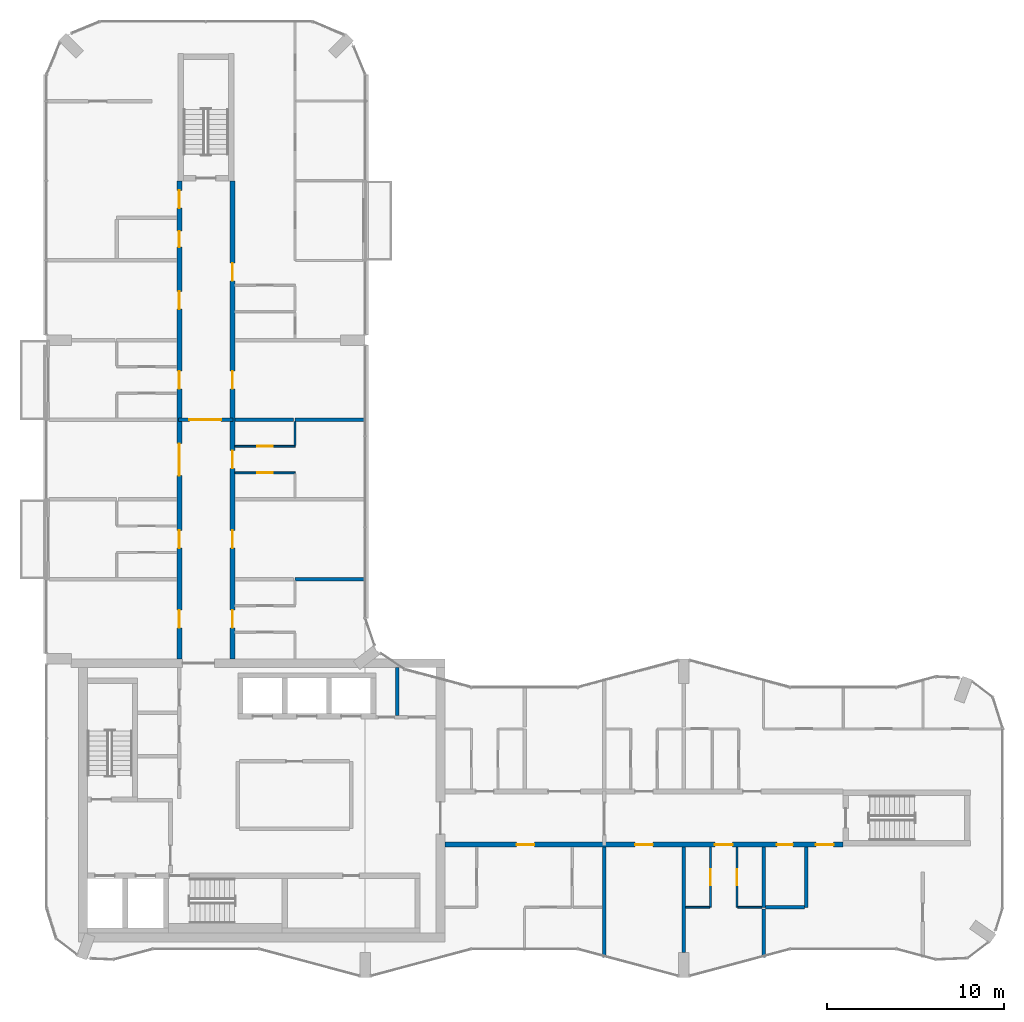
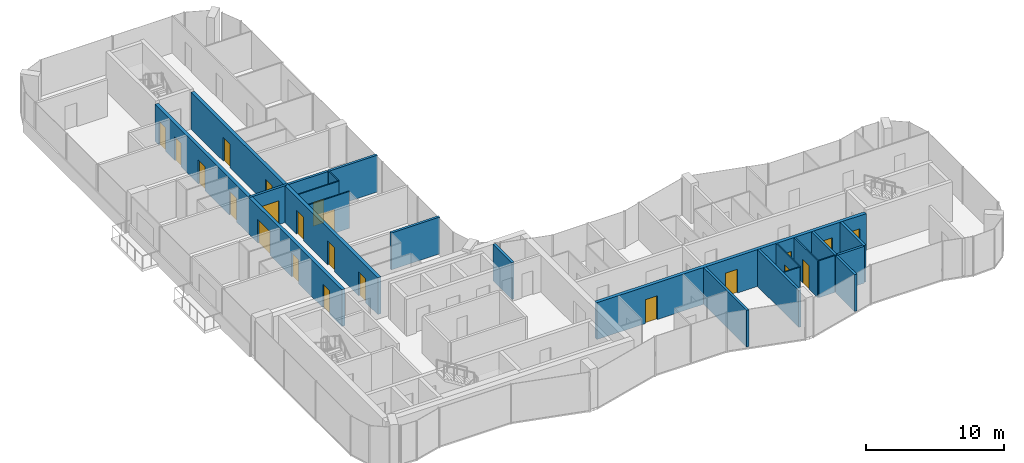
# One storey, part 11 of 16: 22 doors, 21 walls, 22 openings.
"""IFC4 building model written with IfcOpenShell, lengths in metres."""

from ifc_helpers import new_model, si_unit, direction, frame, frame_2d, origin, place, context, subcontext, project, spatial, rectangle, extrude, material, layer, layer_set, type_object, element, fill, save


model = new_model("IFC4")

# Units and contexts
model_context = context("Model", 3, precision=1e-05, world=origin(), true_north=direction((0.0, 1.0)))
body_context = subcontext(model_context, "Body", "Model", "MODEL_VIEW")
ifc_project = project(units=[si_unit("LENGTHUNIT", "METRE"), si_unit("AREAUNIT", "SQUARE_METRE"), si_unit("VOLUMEUNIT", "CUBIC_METRE"), si_unit("PLANEANGLEUNIT", "RADIAN"), si_unit("MASSUNIT", "GRAM", prefix="KILO")], contexts=[model_context])

# Site, building, storey
site_placement = place(None, origin())
site = spatial("IfcSite", under=ifc_project, at=site_placement, CompositionType="ELEMENT")
building_placement = place(site_placement, origin())
building = spatial("IfcBuilding", under=site, at=building_placement, Name="Plateau Cross Towers", CompositionType="ELEMENT")
storey_placement = place(building_placement, frame((0.0, 0.0, 218.89990234375)))
storey = spatial("IfcBuildingStorey", under=building, at=storey_placement, Name="L57", CompositionType="ELEMENT", Elevation=218.89990234375)

# Wall
ifc_material_1 = material(Name="Concrete block, plastered both sides", Category="concrete")
ifc_layer_1 = layer(ifc_material_1, 0.199951171875)
ifc_layer_set_1 = layer_set([ifc_layer_1], Name="Concrete block, plastered both sides")
wall_type_1 = type_object("IfcWallType", Name="Core partition 200", PredefinedType="PARTITIONING", material=ifc_layer_set_1)
wall_1_placement = place(storey_placement, frame((19.800048828125, 14.800048828125, 0.0), z_axis=(0.0, 0.0, 1.0), x_axis=(0.0, 1.0, 0.0)))
element("IfcWall", 1, at=wall_1_placement, inside=storey, type_object=wall_type_1, Name="Core partition", PredefinedType="PARTITIONING", context=body_context, shape_type="SweptSolid", body=[
    extrude(rectangle(XDim=2.699951171875, YDim=0.199951171875, at=frame_2d((1.35009765625, 0.0))), origin(), (0.0, 0.0, 1.0), 3.25),
])

# Wall, openings, doors
ifc_material_2 = material(Name="Concrete C60/75", Category="concrete")
ifc_layer_2 = layer(ifc_material_2, 0.27490234375)
ifc_layer_set_2 = layer_set([ifc_layer_2], Name="Concrete C60/75")
wall_type_2 = type_object("IfcWallType", Name="Corridor wall 275", PredefinedType="SHEAR", material=ifc_layer_set_2)
wall_2_placement = place(storey_placement, frame((22.5, 7.5, 0.0), z_axis=(0.0, 0.0, 1.0), x_axis=(1.0, 0.0, 0.0)))
wall_2 = element("IfcWall", 2, at=wall_2_placement, inside=storey, type_object=wall_type_2, Name="A-cw-S1@L57", PredefinedType="SHEAR", context=body_context, shape_type="SweptSolid", body=[
    extrude(rectangle(XDim=22.5, YDim=0.27490234375, at=frame_2d((11.25, 0.0))), origin(), (0.0, 0.0, 1.0), 3.25),
])
opening_1_placement = place(wall_2_placement, frame((4.050048828125, 0.0, 0.0)))
opening_1 = element("IfcOpeningElement", 3, at=opening_1_placement, cuts=wall_2, Name="Opening 57-01", PredefinedType="OPENING", context=body_context, shape_type="SweptSolid", body=[
    extrude(rectangle(XDim=1.0, YDim=2.10009765625, at=frame_2d((0.5, 1.050048828125))), frame((0.0, 0.1474609375, 0.0), z_axis=(0.0, -1.0, 0.0), x_axis=(1.0, 0.0, 0.0)), (0.0, 0.0, 1.0), 0.294921875),
])
opening_2_placement = place(wall_2_placement, frame((10.75, 0.0, 0.0)))
opening_2 = element("IfcOpeningElement", 4, at=opening_2_placement, cuts=wall_2, Name="Opening 57-02", PredefinedType="OPENING", context=body_context, shape_type="SweptSolid", body=[
    extrude(rectangle(XDim=1.0, YDim=2.10009765625, at=frame_2d((0.5, 1.050048828125))), frame((0.0, 0.1474609375, 0.0), z_axis=(0.0, -1.0, 0.0), x_axis=(1.0, 0.0, 0.0)), (0.0, 0.0, 1.0), 0.294921875),
])
opening_3_placement = place(wall_2_placement, frame((15.25, 0.0, 0.0)))
opening_3 = element("IfcOpeningElement", 5, at=opening_3_placement, cuts=wall_2, Name="Opening 57-03", PredefinedType="OPENING", context=body_context, shape_type="SweptSolid", body=[
    extrude(rectangle(XDim=1.0, YDim=2.10009765625, at=frame_2d((0.5, 1.050048828125))), frame((0.0, 0.1474609375, 0.0), z_axis=(0.0, -1.0, 0.0), x_axis=(1.0, 0.0, 0.0)), (0.0, 0.0, 1.0), 0.294921875),
])
opening_4_placement = place(wall_2_placement, frame((18.75, 0.0, 0.0)))
opening_4 = element("IfcOpeningElement", 6, at=opening_4_placement, cuts=wall_2, Name="Opening 57-04", PredefinedType="OPENING", context=body_context, shape_type="SweptSolid", body=[
    extrude(rectangle(XDim=0.89990234375, YDim=2.10009765625, at=frame_2d((0.449951171875, 1.050048828125))), frame((0.0, 0.1474609375, 0.0), z_axis=(0.0, -1.0, 0.0), x_axis=(1.0, 0.0, 0.0)), (0.0, 0.0, 1.0), 0.294921875),
])
opening_5_placement = place(wall_2_placement, frame((20.949951171875, 0.0, 0.0)))
opening_5 = element("IfcOpeningElement", 7, at=opening_5_placement, cuts=wall_2, Name="Opening 57-05", PredefinedType="OPENING", context=body_context, shape_type="SweptSolid", body=[
    extrude(rectangle(XDim=1.0, YDim=2.10009765625, at=frame_2d((0.5, 1.050048828125))), frame((0.0, 0.1474609375, 0.0), z_axis=(0.0, -1.0, 0.0), x_axis=(1.0, 0.0, 0.0)), (0.0, 0.0, 1.0), 0.294921875),
])
ifc_material_3 = material(Name="Timber, fire-resisting leaf", Category="wood")
door_type_1 = type_object("IfcDoorType", Name="Flat entrance door 1000", OperationType="NOTDEFINED", PredefinedType="DOOR", material=ifc_material_3)
door_1_placement = place(opening_1_placement, origin())
door_1 = element("IfcDoor", 8, at=door_1_placement, inside=storey, type_object=door_type_1, Name="Door 57-01", OperationType="SINGLE_SWING_LEFT", OverallHeight=2.10009765625, OverallWidth=1.0, PredefinedType="DOOR", context=body_context, shape_type="SweptSolid", body=[
    extrude(rectangle(XDim=1.0, YDim=2.10009765625, at=frame_2d((0.5, 1.050048828125))), frame((0.0, 0.02490234375, 0.0), z_axis=(0.0, -1.0, 0.0), x_axis=(1.0, 0.0, 0.0)), (0.0, 0.0, 1.0), 0.050048828125),
])
fill(opening_1, door_1)
door_2_placement = place(opening_2_placement, origin())
door_2 = element("IfcDoor", 9, at=door_2_placement, inside=storey, type_object=door_type_1, Name="Door 57-02", OperationType="SINGLE_SWING_LEFT", OverallHeight=2.10009765625, OverallWidth=1.0, PredefinedType="DOOR", context=body_context, shape_type="SweptSolid", body=[
    extrude(rectangle(XDim=1.0, YDim=2.10009765625, at=frame_2d((0.5, 1.050048828125))), frame((0.0, 0.02490234375, 0.0), z_axis=(0.0, -1.0, 0.0), x_axis=(1.0, 0.0, 0.0)), (0.0, 0.0, 1.0), 0.050048828125),
])
fill(opening_2, door_2)
door_3_placement = place(opening_3_placement, origin())
door_3 = element("IfcDoor", 10, at=door_3_placement, inside=storey, type_object=door_type_1, Name="Door 57-03", OperationType="SINGLE_SWING_RIGHT", OverallHeight=2.10009765625, OverallWidth=1.0, PredefinedType="DOOR", context=body_context, shape_type="SweptSolid", body=[
    extrude(rectangle(XDim=1.0, YDim=2.10009765625, at=frame_2d((0.5, 1.050048828125))), frame((0.0, 0.02490234375, 0.0), z_axis=(0.0, -1.0, 0.0), x_axis=(1.0, 0.0, 0.0)), (0.0, 0.0, 1.0), 0.050048828125),
])
fill(opening_3, door_3)
door_4_placement = place(opening_5_placement, origin())
door_4 = element("IfcDoor", 11, at=door_4_placement, inside=storey, type_object=door_type_1, Name="Door 57-05", OperationType="SINGLE_SWING_RIGHT", OverallHeight=2.10009765625, OverallWidth=1.0, PredefinedType="DOOR", context=body_context, shape_type="SweptSolid", body=[
    extrude(rectangle(XDim=1.0, YDim=2.10009765625, at=frame_2d((0.5, 1.050048828125))), frame((0.0, 0.02490234375, 0.0), z_axis=(0.0, -1.0, 0.0), x_axis=(1.0, 0.0, 0.0)), (0.0, 0.0, 1.0), 0.050048828125),
])
fill(opening_5, door_4)
door_type_2 = type_object("IfcDoorType", Name="Flat floor service door 900", OperationType="NOTDEFINED", PredefinedType="DOOR", material=ifc_material_3)
door_5_placement = place(opening_4_placement, origin())
door_5 = element("IfcDoor", 12, at=door_5_placement, inside=storey, type_object=door_type_2, Name="Door 57-04", OperationType="SINGLE_SWING_RIGHT", OverallHeight=2.10009765625, OverallWidth=0.89990234375, PredefinedType="DOOR", context=body_context, shape_type="SweptSolid", body=[
    extrude(rectangle(XDim=0.89990234375, YDim=2.10009765625, at=frame_2d((0.449951171875, 1.050048828125))), frame((0.0, 0.02490234375, 0.0), z_axis=(0.0, -1.0, 0.0), x_axis=(1.0, 0.0, 0.0)), (0.0, 0.0, 1.0), 0.050048828125),
])
fill(opening_4, door_5)

wall_3_placement = place(storey_placement, frame((7.5, 18.0, 0.0), z_axis=(0.0, 0.0, 1.0), x_axis=(0.0, 1.0, 0.0)))
wall_3 = element("IfcWall", 13, at=wall_3_placement, inside=storey, type_object=wall_type_2, Name="A-cw-W1@L57", PredefinedType="SHEAR", context=body_context, shape_type="SweptSolid", body=[
    extrude(rectangle(XDim=27.0, YDim=0.27490234375, at=frame_2d((13.5, 0.0))), origin(), (0.0, 0.0, 1.0), 3.25),
])
opening_6_placement = place(wall_3_placement, frame((1.75, 0.0, 0.0)))
opening_6 = element("IfcOpeningElement", 14, at=opening_6_placement, cuts=wall_3, Name="Opening 57-10", PredefinedType="OPENING", context=body_context, shape_type="SweptSolid", body=[
    extrude(rectangle(XDim=1.0, YDim=2.10009765625, at=frame_2d((0.5, 1.050048828125))), frame((0.0, 0.1474609375, 0.0), z_axis=(0.0, -1.0, 0.0), x_axis=(1.0, 0.0, 0.0)), (0.0, 0.0, 1.0), 0.294921875),
])
opening_7_placement = place(wall_3_placement, frame((6.25, 0.0, 0.0)))
opening_7 = element("IfcOpeningElement", 15, at=opening_7_placement, cuts=wall_3, Name="Opening 57-11", PredefinedType="OPENING", context=body_context, shape_type="SweptSolid", body=[
    extrude(rectangle(XDim=1.0, YDim=2.10009765625, at=frame_2d((0.5, 1.050048828125))), frame((0.0, 0.1474609375, 0.0), z_axis=(0.0, -1.0, 0.0), x_axis=(1.0, 0.0, 0.0)), (0.0, 0.0, 1.0), 0.294921875),
])
opening_8_placement = place(wall_3_placement, frame((10.35009765625, 0.0, 0.0)))
opening_8 = element("IfcOpeningElement", 16, at=opening_8_placement, cuts=wall_3, Name="Opening 57-12", PredefinedType="OPENING", context=body_context, shape_type="SweptSolid", body=[
    extrude(rectangle(XDim=1.800048828125, YDim=2.10009765625, at=frame_2d((0.89990234375, 1.050048828125))), frame((0.0, 0.1474609375, 0.0), z_axis=(0.0, -1.0, 0.0), x_axis=(1.0, 0.0, 0.0)), (0.0, 0.0, 1.0), 0.294921875),
])
opening_9_placement = place(wall_3_placement, frame((15.25, 0.0, 0.0)))
opening_9 = element("IfcOpeningElement", 17, at=opening_9_placement, cuts=wall_3, Name="Opening 57-13", PredefinedType="OPENING", context=body_context, shape_type="SweptSolid", body=[
    extrude(rectangle(XDim=1.0, YDim=2.10009765625, at=frame_2d((0.5, 1.050048828125))), frame((0.0, 0.1474609375, 0.0), z_axis=(0.0, -1.0, 0.0), x_axis=(1.0, 0.0, 0.0)), (0.0, 0.0, 1.0), 0.294921875),
])
opening_10_placement = place(wall_3_placement, frame((19.75, 0.0, 0.0)))
opening_10 = element("IfcOpeningElement", 18, at=opening_10_placement, cuts=wall_3, Name="Opening 57-14", PredefinedType="OPENING", context=body_context, shape_type="SweptSolid", body=[
    extrude(rectangle(XDim=1.0, YDim=2.10009765625, at=frame_2d((0.5, 1.050048828125))), frame((0.0, 0.1474609375, 0.0), z_axis=(0.0, -1.0, 0.0), x_axis=(1.0, 0.0, 0.0)), (0.0, 0.0, 1.0), 0.294921875),
])
opening_11_placement = place(wall_3_placement, frame((23.25, 0.0, 0.0)))
opening_11 = element("IfcOpeningElement", 19, at=opening_11_placement, cuts=wall_3, Name="Opening 57-15", PredefinedType="OPENING", context=body_context, shape_type="SweptSolid", body=[
    extrude(rectangle(XDim=0.89990234375, YDim=2.10009765625, at=frame_2d((0.449951171875, 1.050048828125))), frame((0.0, 0.1474609375, 0.0), z_axis=(0.0, -1.0, 0.0), x_axis=(1.0, 0.0, 0.0)), (0.0, 0.0, 1.0), 0.294921875),
])
opening_12_placement = place(wall_3_placement, frame((25.449951171875, 0.0, 0.0)))
opening_12 = element("IfcOpeningElement", 20, at=opening_12_placement, cuts=wall_3, Name="Opening 57-16", PredefinedType="OPENING", context=body_context, shape_type="SweptSolid", body=[
    extrude(rectangle(XDim=1.0, YDim=2.10009765625, at=frame_2d((0.5, 1.050048828125))), frame((0.0, 0.1474609375, 0.0), z_axis=(0.0, -1.0, 0.0), x_axis=(1.0, 0.0, 0.0)), (0.0, 0.0, 1.0), 0.294921875),
])
door_6_placement = place(opening_6_placement, origin())
door_6 = element("IfcDoor", 21, at=door_6_placement, inside=storey, type_object=door_type_1, Name="Door 57-10", OperationType="SINGLE_SWING_LEFT", OverallHeight=2.10009765625, OverallWidth=1.0, PredefinedType="DOOR", context=body_context, shape_type="SweptSolid", body=[
    extrude(rectangle(XDim=1.0, YDim=2.10009765625, at=frame_2d((0.5, 1.050048828125))), frame((0.0, 0.02490234375, 0.0), z_axis=(0.0, -1.0, 0.0), x_axis=(1.0, 0.0, 0.0)), (0.0, 0.0, 1.0), 0.050048828125),
])
fill(opening_6, door_6)
door_7_placement = place(opening_7_placement, origin())
door_7 = element("IfcDoor", 22, at=door_7_placement, inside=storey, type_object=door_type_1, Name="Door 57-11", OperationType="SINGLE_SWING_LEFT", OverallHeight=2.10009765625, OverallWidth=1.0, PredefinedType="DOOR", context=body_context, shape_type="SweptSolid", body=[
    extrude(rectangle(XDim=1.0, YDim=2.10009765625, at=frame_2d((0.5, 1.050048828125))), frame((0.0, 0.02490234375, 0.0), z_axis=(0.0, -1.0, 0.0), x_axis=(1.0, 0.0, 0.0)), (0.0, 0.0, 1.0), 0.050048828125),
])
fill(opening_7, door_7)
door_8_placement = place(opening_9_placement, origin())
door_8 = element("IfcDoor", 23, at=door_8_placement, inside=storey, type_object=door_type_1, Name="Door 57-13", OperationType="SINGLE_SWING_RIGHT", OverallHeight=2.10009765625, OverallWidth=1.0, PredefinedType="DOOR", context=body_context, shape_type="SweptSolid", body=[
    extrude(rectangle(XDim=1.0, YDim=2.10009765625, at=frame_2d((0.5, 1.050048828125))), frame((0.0, 0.02490234375, 0.0), z_axis=(0.0, -1.0, 0.0), x_axis=(1.0, 0.0, 0.0)), (0.0, 0.0, 1.0), 0.050048828125),
])
fill(opening_9, door_8)
door_9_placement = place(opening_10_placement, origin())
door_9 = element("IfcDoor", 24, at=door_9_placement, inside=storey, type_object=door_type_1, Name="Door 57-14", OperationType="SINGLE_SWING_RIGHT", OverallHeight=2.10009765625, OverallWidth=1.0, PredefinedType="DOOR", context=body_context, shape_type="SweptSolid", body=[
    extrude(rectangle(XDim=1.0, YDim=2.10009765625, at=frame_2d((0.5, 1.050048828125))), frame((0.0, 0.02490234375, 0.0), z_axis=(0.0, -1.0, 0.0), x_axis=(1.0, 0.0, 0.0)), (0.0, 0.0, 1.0), 0.050048828125),
])
fill(opening_10, door_9)
door_10_placement = place(opening_12_placement, origin())
door_10 = element("IfcDoor", 25, at=door_10_placement, inside=storey, type_object=door_type_1, Name="Door 57-16", OperationType="SINGLE_SWING_RIGHT", OverallHeight=2.10009765625, OverallWidth=1.0, PredefinedType="DOOR", context=body_context, shape_type="SweptSolid", body=[
    extrude(rectangle(XDim=1.0, YDim=2.10009765625, at=frame_2d((0.5, 1.050048828125))), frame((0.0, 0.02490234375, 0.0), z_axis=(0.0, -1.0, 0.0), x_axis=(1.0, 0.0, 0.0)), (0.0, 0.0, 1.0), 0.050048828125),
])
fill(opening_12, door_10)
ifc_material_4 = material(Name="Timber, fire-resisting leaves", Category="wood")
door_type_3 = type_object("IfcDoorType", Name="Flat floor fire door pair 1800", OperationType="NOTDEFINED", PredefinedType="DOOR", material=ifc_material_4)
door_11_placement = place(opening_8_placement, origin())
door_11 = element("IfcDoor", 26, at=door_11_placement, inside=storey, type_object=door_type_3, Name="Door 57-12", OperationType="SINGLE_SWING_LEFT", OverallHeight=2.10009765625, OverallWidth=1.800048828125, PredefinedType="DOOR", context=body_context, shape_type="SweptSolid", body=[
    extrude(rectangle(XDim=1.800048828125, YDim=2.10009765625, at=frame_2d((0.89990234375, 1.050048828125))), frame((0.0, 0.02490234375, 0.0), z_axis=(0.0, -1.0, 0.0), x_axis=(1.0, 0.0, 0.0)), (0.0, 0.0, 1.0), 0.050048828125),
])
fill(opening_8, door_11)
door_12_placement = place(opening_11_placement, origin())
door_12 = element("IfcDoor", 27, at=door_12_placement, inside=storey, type_object=door_type_2, Name="Door 57-15", OperationType="SINGLE_SWING_RIGHT", OverallHeight=2.10009765625, OverallWidth=0.89990234375, PredefinedType="DOOR", context=body_context, shape_type="SweptSolid", body=[
    extrude(rectangle(XDim=0.89990234375, YDim=2.10009765625, at=frame_2d((0.449951171875, 1.050048828125))), frame((0.0, 0.02490234375, 0.0), z_axis=(0.0, -1.0, 0.0), x_axis=(1.0, 0.0, 0.0)), (0.0, 0.0, 1.0), 0.050048828125),
])
fill(opening_11, door_12)

wall_4_placement = place(storey_placement, frame((10.5, 18.0, 0.0), z_axis=(0.0, 0.0, 1.0), x_axis=(0.0, 1.0, 0.0)))
wall_4 = element("IfcWall", 28, at=wall_4_placement, inside=storey, type_object=wall_type_2, Name="A-cw-W2@L57", PredefinedType="SHEAR", context=body_context, shape_type="SweptSolid", body=[
    extrude(rectangle(XDim=27.0, YDim=0.27490234375, at=frame_2d((13.5, 0.0))), origin(), (0.0, 0.0, 1.0), 3.25),
])
opening_13_placement = place(wall_4_placement, frame((1.75, 0.0, 0.0)))
opening_13 = element("IfcOpeningElement", 29, at=opening_13_placement, cuts=wall_4, Name="Opening 57-17", PredefinedType="OPENING", context=body_context, shape_type="SweptSolid", body=[
    extrude(rectangle(XDim=1.0, YDim=2.10009765625, at=frame_2d((0.5, 1.050048828125))), frame((0.0, 0.1474609375, 0.0), z_axis=(0.0, -1.0, 0.0), x_axis=(1.0, 0.0, 0.0)), (0.0, 0.0, 1.0), 0.294921875),
])
opening_14_placement = place(wall_4_placement, frame((6.25, 0.0, 0.0)))
opening_14 = element("IfcOpeningElement", 30, at=opening_14_placement, cuts=wall_4, Name="Opening 57-18", PredefinedType="OPENING", context=body_context, shape_type="SweptSolid", body=[
    extrude(rectangle(XDim=1.0, YDim=2.10009765625, at=frame_2d((0.5, 1.050048828125))), frame((0.0, 0.1474609375, 0.0), z_axis=(0.0, -1.0, 0.0), x_axis=(1.0, 0.0, 0.0)), (0.0, 0.0, 1.0), 0.294921875),
])
opening_15_placement = place(wall_4_placement, frame((10.75, 0.0, 0.0)))
opening_15 = element("IfcOpeningElement", 31, at=opening_15_placement, cuts=wall_4, Name="Opening 57-19", PredefinedType="OPENING", context=body_context, shape_type="SweptSolid", body=[
    extrude(rectangle(XDim=1.0, YDim=2.10009765625, at=frame_2d((0.5, 1.050048828125))), frame((0.0, 0.1474609375, 0.0), z_axis=(0.0, -1.0, 0.0), x_axis=(1.0, 0.0, 0.0)), (0.0, 0.0, 1.0), 0.294921875),
])
opening_16_placement = place(wall_4_placement, frame((15.25, 0.0, 0.0)))
opening_16 = element("IfcOpeningElement", 32, at=opening_16_placement, cuts=wall_4, Name="Opening 57-20", PredefinedType="OPENING", context=body_context, shape_type="SweptSolid", body=[
    extrude(rectangle(XDim=1.0, YDim=2.10009765625, at=frame_2d((0.5, 1.050048828125))), frame((0.0, 0.1474609375, 0.0), z_axis=(0.0, -1.0, 0.0), x_axis=(1.0, 0.0, 0.0)), (0.0, 0.0, 1.0), 0.294921875),
])
opening_17_placement = place(wall_4_placement, frame((21.35009765625, 0.0, 0.0)))
opening_17 = element("IfcOpeningElement", 33, at=opening_17_placement, cuts=wall_4, Name="Opening 57-21", PredefinedType="OPENING", context=body_context, shape_type="SweptSolid", body=[
    extrude(rectangle(XDim=1.0, YDim=2.10009765625, at=frame_2d((0.5, 1.050048828125))), frame((0.0, 0.1474609375, 0.0), z_axis=(0.0, -1.0, 0.0), x_axis=(1.0, 0.0, 0.0)), (0.0, 0.0, 1.0), 0.294921875),
])
door_13_placement = place(opening_13_placement, origin())
door_13 = element("IfcDoor", 34, at=door_13_placement, inside=storey, type_object=door_type_1, Name="Door 57-17", OperationType="SINGLE_SWING_LEFT", OverallHeight=2.10009765625, OverallWidth=1.0, PredefinedType="DOOR", context=body_context, shape_type="SweptSolid", body=[
    extrude(rectangle(XDim=1.0, YDim=2.10009765625, at=frame_2d((0.5, 1.050048828125))), frame((0.0, 0.02490234375, 0.0), z_axis=(0.0, -1.0, 0.0), x_axis=(1.0, 0.0, 0.0)), (0.0, 0.0, 1.0), 0.050048828125),
])
fill(opening_13, door_13)
door_14_placement = place(opening_14_placement, origin())
door_14 = element("IfcDoor", 35, at=door_14_placement, inside=storey, type_object=door_type_1, Name="Door 57-18", OperationType="SINGLE_SWING_LEFT", OverallHeight=2.10009765625, OverallWidth=1.0, PredefinedType="DOOR", context=body_context, shape_type="SweptSolid", body=[
    extrude(rectangle(XDim=1.0, YDim=2.10009765625, at=frame_2d((0.5, 1.050048828125))), frame((0.0, 0.02490234375, 0.0), z_axis=(0.0, -1.0, 0.0), x_axis=(1.0, 0.0, 0.0)), (0.0, 0.0, 1.0), 0.050048828125),
])
fill(opening_14, door_14)
door_15_placement = place(opening_15_placement, origin())
door_15 = element("IfcDoor", 36, at=door_15_placement, inside=storey, type_object=door_type_1, Name="Door 57-19", OperationType="SINGLE_SWING_LEFT", OverallHeight=2.10009765625, OverallWidth=1.0, PredefinedType="DOOR", context=body_context, shape_type="SweptSolid", body=[
    extrude(rectangle(XDim=1.0, YDim=2.10009765625, at=frame_2d((0.5, 1.050048828125))), frame((0.0, 0.02490234375, 0.0), z_axis=(0.0, -1.0, 0.0), x_axis=(1.0, 0.0, 0.0)), (0.0, 0.0, 1.0), 0.050048828125),
])
fill(opening_15, door_15)
door_16_placement = place(opening_16_placement, origin())
door_16 = element("IfcDoor", 37, at=door_16_placement, inside=storey, type_object=door_type_1, Name="Door 57-20", OperationType="SINGLE_SWING_RIGHT", OverallHeight=2.10009765625, OverallWidth=1.0, PredefinedType="DOOR", context=body_context, shape_type="SweptSolid", body=[
    extrude(rectangle(XDim=1.0, YDim=2.10009765625, at=frame_2d((0.5, 1.050048828125))), frame((0.0, 0.02490234375, 0.0), z_axis=(0.0, -1.0, 0.0), x_axis=(1.0, 0.0, 0.0)), (0.0, 0.0, 1.0), 0.050048828125),
])
fill(opening_16, door_16)
door_17_placement = place(opening_17_placement, origin())
door_17 = element("IfcDoor", 38, at=door_17_placement, inside=storey, type_object=door_type_1, Name="Door 57-21", OperationType="SINGLE_SWING_RIGHT", OverallHeight=2.10009765625, OverallWidth=1.0, PredefinedType="DOOR", context=body_context, shape_type="SweptSolid", body=[
    extrude(rectangle(XDim=1.0, YDim=2.10009765625, at=frame_2d((0.5, 1.050048828125))), frame((0.0, 0.02490234375, 0.0), z_axis=(0.0, -1.0, 0.0), x_axis=(1.0, 0.0, 0.0)), (0.0, 0.0, 1.0), 0.050048828125),
])
fill(opening_17, door_17)

# Walls
ifc_material_5 = material(Name="Gypsum board on steel studs", Category="steel")
ifc_layer_3 = layer(ifc_material_5, 0.10009765625)
ifc_layer_set_3 = layer_set([ifc_layer_3], Name="Gypsum board on steel studs")
wall_type_3 = type_object("IfcWallType", Name="Flat partition 100", PredefinedType="PARTITIONING", material=ifc_layer_set_3)
for number, where, z_axis, x_axis, name in (
    (39, (36.10009765625, 3.96240234375, 0.0), (0.0, 0.0, 1.0), (1.0, 0.0, 0.0), "Partition wall"),
    (40, (39.050048828125, 3.96240234375, 0.0), (0.0, 0.0, 1.0), (1.0, 0.0, 0.0), "Partition wall"),
):
    element("IfcWall", number, at=place(storey_placement, frame(where, z_axis=z_axis, x_axis=x_axis)), inside=storey, type_object=wall_type_3, Name=name, PredefinedType="PARTITIONING", context=body_context, shape_type="SweptSolid", body=[
        extrude(rectangle(XDim=1.349853515625, YDim=0.10009765625, at=frame_2d((0.6748046875, 0.0))), origin(), (0.0, 0.0, 1.0), 3.25),
    ])

# Wall, opening, door
wall_5_placement = place(storey_placement, frame((14.03759765625, 28.5, 0.0), z_axis=(0.0, 0.0, 1.0), x_axis=(-1.0, 0.0, 0.0)))
wall_5 = element("IfcWall", 41, at=wall_5_placement, inside=storey, type_object=wall_type_3, Name="Partition wall", PredefinedType="PARTITIONING", context=body_context, shape_type="SweptSolid", body=[
    extrude(rectangle(XDim=3.400146484375, YDim=0.10009765625, at=frame_2d((1.7001953125, 0.0))), origin(), (0.0, 0.0, 1.0), 3.25),
])
opening_18_placement = place(wall_5_placement, frame((1.25, 0.0, 0.0)))
opening_18 = element("IfcOpeningElement", 42, at=opening_18_placement, cuts=wall_5, Name="Opening 57-46", PredefinedType="OPENING", context=body_context, shape_type="SweptSolid", body=[
    extrude(rectangle(XDim=0.89990234375, YDim=2.10009765625, at=frame_2d((0.449951171875, 1.050048828125))), frame((0.0, 0.06005859375, 0.0), z_axis=(0.0, -1.0, 0.0), x_axis=(1.0, 0.0, 0.0)), (0.0, 0.0, 1.0), 0.1201171875),
])
ifc_material_6 = material(Name="Timber leaf", Category="wood")
door_type_4 = type_object("IfcDoorType", Name="Flat room door 900", OperationType="NOTDEFINED", PredefinedType="DOOR", material=ifc_material_6)
door_18_placement = place(opening_18_placement, origin())
door_18 = element("IfcDoor", 43, at=door_18_placement, inside=storey, type_object=door_type_4, Name="Door 57-46", OperationType="SINGLE_SWING_LEFT", OverallHeight=2.10009765625, OverallWidth=0.89990234375, PredefinedType="DOOR", context=body_context, shape_type="SweptSolid", body=[
    extrude(rectangle(XDim=0.89990234375, YDim=2.10009765625, at=frame_2d((0.449951171875, 1.050048828125))), frame((0.0, 0.02490234375, 0.0), z_axis=(0.0, -1.0, 0.0), x_axis=(1.0, 0.0, 0.0)), (0.0, 0.0, 1.0), 0.050048828125),
])
fill(opening_18, door_18)

wall_6_placement = place(storey_placement, frame((10.637451171875, 30.0, 0.0), z_axis=(0.0, 0.0, 1.0), x_axis=(1.0, 0.0, 0.0)))
wall_6 = element("IfcWall", 44, at=wall_6_placement, inside=storey, type_object=wall_type_3, Name="Partition wall", PredefinedType="PARTITIONING", context=body_context, shape_type="SweptSolid", body=[
    extrude(rectangle(XDim=3.400146484375, YDim=0.10009765625, at=frame_2d((1.7001953125, 0.0))), origin(), (0.0, 0.0, 1.0), 3.25),
])
opening_19_placement = place(wall_6_placement, frame((1.25, 0.0, 0.0)))
opening_19 = element("IfcOpeningElement", 45, at=opening_19_placement, cuts=wall_6, Name="Opening 57-47", PredefinedType="OPENING", context=body_context, shape_type="SweptSolid", body=[
    extrude(rectangle(XDim=0.89990234375, YDim=2.10009765625, at=frame_2d((0.449951171875, 1.050048828125))), frame((0.0, 0.06005859375, 0.0), z_axis=(0.0, -1.0, 0.0), x_axis=(1.0, 0.0, 0.0)), (0.0, 0.0, 1.0), 0.1201171875),
])
door_19_placement = place(opening_19_placement, origin())
door_19 = element("IfcDoor", 46, at=door_19_placement, inside=storey, type_object=door_type_4, Name="Door 57-47", OperationType="SINGLE_SWING_LEFT", OverallHeight=2.10009765625, OverallWidth=0.89990234375, PredefinedType="DOOR", context=body_context, shape_type="SweptSolid", body=[
    extrude(rectangle(XDim=0.89990234375, YDim=2.10009765625, at=frame_2d((0.449951171875, 1.050048828125))), frame((0.0, 0.02490234375, 0.0), z_axis=(0.0, -1.0, 0.0), x_axis=(1.0, 0.0, 0.0)), (0.0, 0.0, 1.0), 0.050048828125),
])
fill(opening_19, door_19)

# Wall
wall_7_placement = place(storey_placement, frame((14.03759765625, 30.050048828125, 0.0), z_axis=(0.0, 0.0, 1.0), x_axis=(0.0, 1.0, 0.0)))
element("IfcWall", 47, at=wall_7_placement, inside=storey, type_object=wall_type_3, Name="Partition wall", PredefinedType="PARTITIONING", context=body_context, shape_type="SweptSolid", body=[
    extrude(rectangle(XDim=1.349853515625, YDim=0.10009765625, at=frame_2d((0.6748046875, 0.0))), origin(), (0.0, 0.0, 1.0), 3.25),
])

# Wall, opening, door
wall_8_placement = place(storey_placement, frame((37.5, 3.96240234375, 0.0), z_axis=(0.0, 0.0, 1.0), x_axis=(0.0, 1.0, 0.0)))
wall_8 = element("IfcWall", 48, at=wall_8_placement, inside=storey, type_object=wall_type_3, Name="Partition wall", PredefinedType="PARTITIONING", context=body_context, shape_type="SweptSolid", body=[
    extrude(rectangle(XDim=3.400146484375, YDim=0.10009765625, at=frame_2d((1.7001953125, 0.0))), origin(), (0.0, 0.0, 1.0), 3.25),
])
opening_20_placement = place(wall_8_placement, frame((1.25, 0.0, 0.0)))
opening_20 = element("IfcOpeningElement", 49, at=opening_20_placement, cuts=wall_8, Name="Opening 57-29", PredefinedType="OPENING", context=body_context, shape_type="SweptSolid", body=[
    extrude(rectangle(XDim=0.89990234375, YDim=2.10009765625, at=frame_2d((0.449951171875, 1.050048828125))), frame((0.0, 0.06005859375, 0.0), z_axis=(0.0, -1.0, 0.0), x_axis=(1.0, 0.0, 0.0)), (0.0, 0.0, 1.0), 0.1201171875),
])
door_20_placement = place(opening_20_placement, origin())
door_20 = element("IfcDoor", 50, at=door_20_placement, inside=storey, type_object=door_type_4, Name="Door 57-29", OperationType="SINGLE_SWING_LEFT", OverallHeight=2.10009765625, OverallWidth=0.89990234375, PredefinedType="DOOR", context=body_context, shape_type="SweptSolid", body=[
    extrude(rectangle(XDim=0.89990234375, YDim=2.10009765625, at=frame_2d((0.449951171875, 1.050048828125))), frame((0.0, 0.02490234375, 0.0), z_axis=(0.0, -1.0, 0.0), x_axis=(1.0, 0.0, 0.0)), (0.0, 0.0, 1.0), 0.050048828125),
])
fill(opening_20, door_20)

wall_9_placement = place(storey_placement, frame((39.0, 7.362548828125, 0.0), z_axis=(0.0, 0.0, 1.0), x_axis=(0.0, -1.0, 0.0)))
wall_9 = element("IfcWall", 51, at=wall_9_placement, inside=storey, type_object=wall_type_3, Name="Partition wall", PredefinedType="PARTITIONING", context=body_context, shape_type="SweptSolid", body=[
    extrude(rectangle(XDim=3.400146484375, YDim=0.10009765625, at=frame_2d((1.7001953125, 0.0))), origin(), (0.0, 0.0, 1.0), 3.25),
])
opening_21_placement = place(wall_9_placement, frame((1.25, 0.0, 0.0)))
opening_21 = element("IfcOpeningElement", 52, at=opening_21_placement, cuts=wall_9, Name="Opening 57-30", PredefinedType="OPENING", context=body_context, shape_type="SweptSolid", body=[
    extrude(rectangle(XDim=0.89990234375, YDim=2.10009765625, at=frame_2d((0.449951171875, 1.050048828125))), frame((0.0, 0.06005859375, 0.0), z_axis=(0.0, -1.0, 0.0), x_axis=(1.0, 0.0, 0.0)), (0.0, 0.0, 1.0), 0.1201171875),
])
door_21_placement = place(opening_21_placement, origin())
door_21 = element("IfcDoor", 53, at=door_21_placement, inside=storey, type_object=door_type_4, Name="Door 57-30", OperationType="SINGLE_SWING_LEFT", OverallHeight=2.10009765625, OverallWidth=0.89990234375, PredefinedType="DOOR", context=body_context, shape_type="SweptSolid", body=[
    extrude(rectangle(XDim=0.89990234375, YDim=2.10009765625, at=frame_2d((0.449951171875, 1.050048828125))), frame((0.0, 0.02490234375, 0.0), z_axis=(0.0, -1.0, 0.0), x_axis=(1.0, 0.0, 0.0)), (0.0, 0.0, 1.0), 0.050048828125),
])
fill(opening_21, door_21)

# Walls
ifc_material_7 = material(Name="Gypsum board on steel studs, two layers each side", Category="steel")
ifc_layer_4 = layer(ifc_material_7, 0.199951171875)
ifc_layer_set_4 = layer_set([ifc_layer_4], Name="Gypsum board on steel studs, two layers each side")
wall_type_4 = type_object("IfcWallType", Name="Flat party wall 200", PredefinedType="PARTITIONING", material=ifc_layer_set_4)
wall_10_placement = place(storey_placement, frame((40.60009765625, 3.96240234375, 0.0), z_axis=(0.0, 0.0, 1.0), x_axis=(1.0, 0.0, 0.0)))
element("IfcWall", 54, at=wall_10_placement, inside=storey, type_object=wall_type_4, Name="Party wall", PredefinedType="PARTITIONING", context=body_context, shape_type="SweptSolid", body=[
    extrude(rectangle(XDim=2.199951171875, YDim=0.199951171875, at=frame_2d((1.10009765625, 0.0))), origin(), (0.0, 0.0, 1.0), 3.25),
])
wall_11_placement = place(storey_placement, frame((14.03759765625, 22.5, 0.0), z_axis=(0.0, 0.0, 1.0), x_axis=(1.0, 0.0, 0.0)))
element("IfcWall", 55, at=wall_11_placement, inside=storey, type_object=wall_type_4, Name="Party wall", PredefinedType="PARTITIONING", context=body_context, shape_type="SweptSolid", body=[
    extrude(rectangle(XDim=4.04248046875, YDim=0.199951171875, at=frame_2d((2.021240234375, 0.0))), origin(), (0.0, 0.0, 1.0), 3.25),
])
wall_12_placement = place(storey_placement, frame((13.9375, 31.5, 0.0), z_axis=(0.0, 0.0, 1.0), x_axis=(-1.0, 0.0, 0.0)))
element("IfcWall", 56, at=wall_12_placement, inside=storey, type_object=wall_type_4, Name="Party wall", PredefinedType="PARTITIONING", context=body_context, shape_type="SweptSolid", body=[
    extrude(rectangle(XDim=3.300048828125, YDim=0.199951171875, at=frame_2d((1.64990234375, 0.0))), origin(), (0.0, 0.0, 1.0), 3.25),
])
wall_13_placement = place(storey_placement, frame((14.03759765625, 31.5, 0.0), z_axis=(0.0, 0.0, 1.0), x_axis=(1.0, 0.0, 0.0)))
element("IfcWall", 57, at=wall_13_placement, inside=storey, type_object=wall_type_4, Name="Party wall", PredefinedType="PARTITIONING", context=body_context, shape_type="SweptSolid", body=[
    extrude(rectangle(XDim=4.04248046875, YDim=0.199951171875, at=frame_2d((2.021240234375, 0.0))), origin(), (0.0, 0.0, 1.0), 3.25),
])
wall_14_placement = place(storey_placement, frame((31.5, 1.122314453125, 0.0), z_axis=(0.0, 0.0, 1.0), x_axis=(0.0, 1.0, 0.0)))
element("IfcWall", 58, at=wall_14_placement, inside=storey, type_object=wall_type_4, Name="Party wall", PredefinedType="PARTITIONING", context=body_context, shape_type="SweptSolid", body=[
    extrude(rectangle(XDim=6.240234375, YDim=0.199951171875, at=frame_2d((3.1201171875, 0.0))), origin(), (0.0, 0.0, 1.0), 3.25),
])
wall_15_placement = place(storey_placement, frame((36.0, 1.39990234375, 0.0), z_axis=(0.0, 0.0, 1.0), x_axis=(0.0, 1.0, 0.0)))
element("IfcWall", 59, at=wall_15_placement, inside=storey, type_object=wall_type_4, Name="Party wall", PredefinedType="PARTITIONING", context=body_context, shape_type="SweptSolid", body=[
    extrude(rectangle(XDim=5.962646484375, YDim=0.199951171875, at=frame_2d((2.9814453125, 0.0))), origin(), (0.0, 0.0, 1.0), 3.25),
])
wall_16_placement = place(storey_placement, frame((40.5, 3.862548828125, 0.0), z_axis=(0.0, 0.0, 1.0), x_axis=(0.0, -1.0, 0.0)))
element("IfcWall", 60, at=wall_16_placement, inside=storey, type_object=wall_type_4, Name="Party wall", PredefinedType="PARTITIONING", context=body_context, shape_type="SweptSolid", body=[
    extrude(rectangle(XDim=2.740234375, YDim=0.199951171875, at=frame_2d((1.3701171875, 0.0))), origin(), (0.0, 0.0, 1.0), 3.25),
])
for number, where, z_axis, x_axis, name in (
    (61, (40.5, 3.96240234375, 0.0), (0.0, 0.0, 1.0), (0.0, 1.0, 0.0), "Party wall"),
    (62, (42.89990234375, 3.96240234375, 0.0), (0.0, 0.0, 1.0), (0.0, 1.0, 0.0), "Party wall"),
):
    element("IfcWall", number, at=place(storey_placement, frame(where, z_axis=z_axis, x_axis=x_axis)), inside=storey, type_object=wall_type_4, Name=name, PredefinedType="PARTITIONING", context=body_context, shape_type="SweptSolid", body=[
        extrude(rectangle(XDim=3.400146484375, YDim=0.199951171875, at=frame_2d((1.7001953125, 0.0))), origin(), (0.0, 0.0, 1.0), 3.25),
    ])

# Wall, opening, door
wall_17_placement = place(storey_placement, frame((7.46240234375, 31.5, 0.0), z_axis=(0.0, 0.0, 1.0), x_axis=(1.0, 0.0, 0.0)))
wall_17 = element("IfcWall", 63, at=wall_17_placement, inside=storey, type_object=wall_type_4, Name="Party wall", PredefinedType="PARTITIONING", context=body_context, shape_type="SweptSolid", body=[
    extrude(rectangle(XDim=3.0751953125, YDim=0.199951171875, at=frame_2d((1.53759765625, 0.0))), origin(), (0.0, 0.0, 1.0), 3.25),
])
opening_22_placement = place(wall_17_placement, frame((0.60009765625, 0.0, 0.0)))
opening_22 = element("IfcOpeningElement", 64, at=opening_22_placement, cuts=wall_17, Name="Opening 57-23", PredefinedType="OPENING", context=body_context, shape_type="SweptSolid", body=[
    extrude(rectangle(XDim=1.800048828125, YDim=2.10009765625, at=frame_2d((0.89990234375, 1.050048828125))), frame((0.0, 0.10986328125, 0.0), z_axis=(0.0, -1.0, 0.0), x_axis=(1.0, 0.0, 0.0)), (0.0, 0.0, 1.0), 0.219970703125),
])
door_22_placement = place(opening_22_placement, origin())
door_22 = element("IfcDoor", 65, at=door_22_placement, inside=storey, type_object=door_type_3, Name="Door 57-23", OperationType="SINGLE_SWING_LEFT", OverallHeight=2.10009765625, OverallWidth=1.800048828125, PredefinedType="DOOR", context=body_context, shape_type="SweptSolid", body=[
    extrude(rectangle(XDim=1.800048828125, YDim=2.10009765625, at=frame_2d((0.89990234375, 1.050048828125))), frame((0.0, 0.02490234375, 0.0), z_axis=(0.0, -1.0, 0.0), x_axis=(1.0, 0.0, 0.0)), (0.0, 0.0, 1.0), 0.050048828125),
])
fill(opening_22, door_22)

save(model, "model.ifc")
